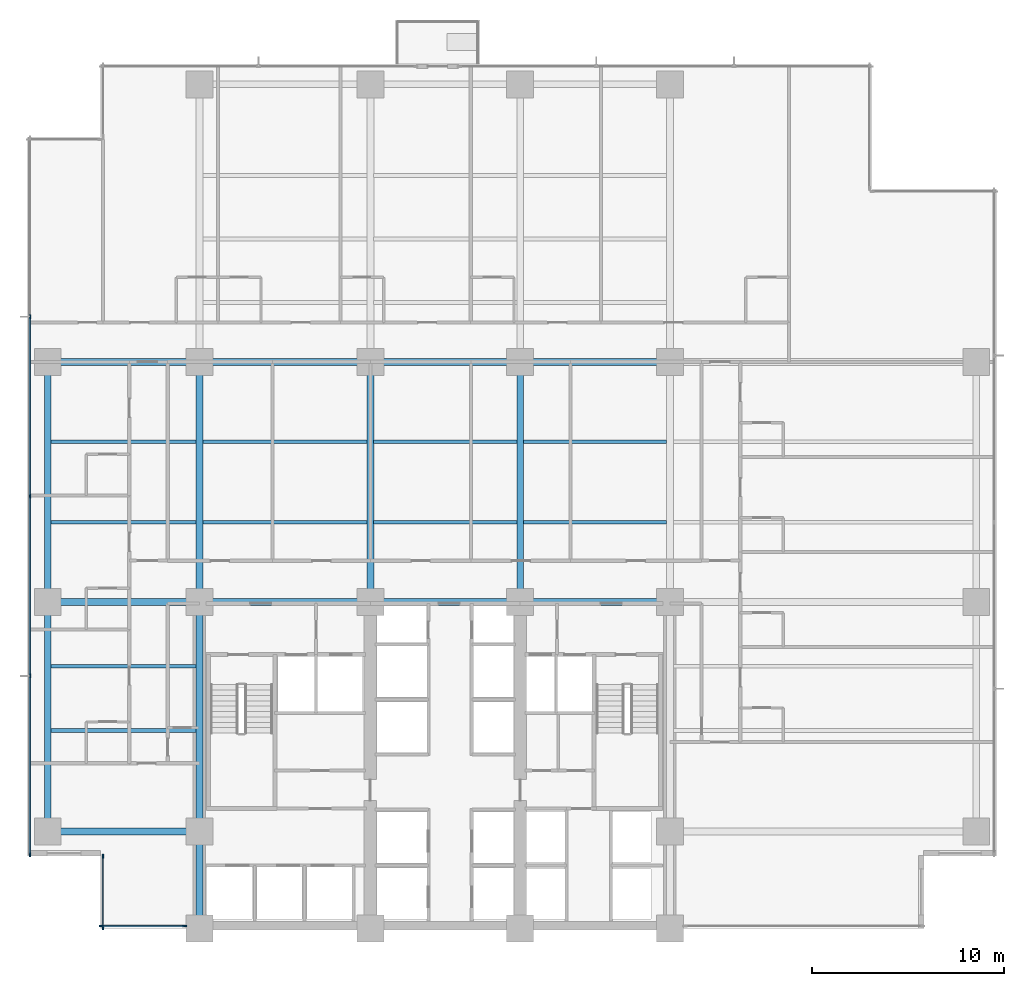
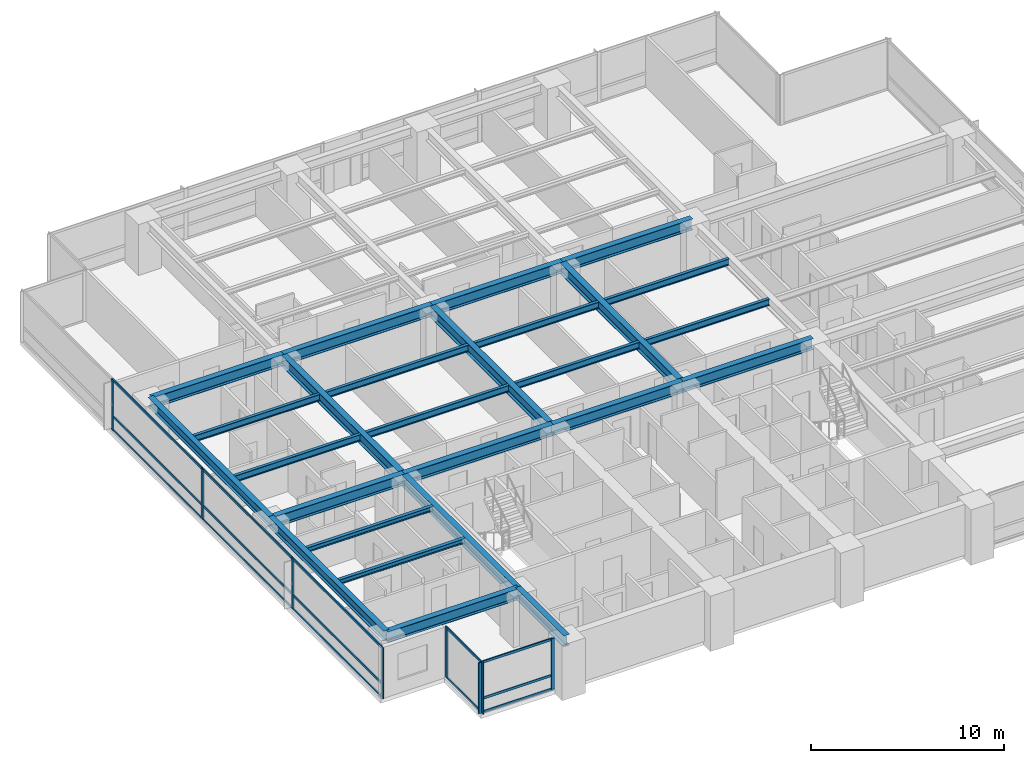
# One storey, part 2 of 16: 26 beams, 22 members, 3 elements without a shape of their own.
"""IFC4 building model written with IfcOpenShell, lengths in metres."""

from ifc_helpers import new_model, si_unit, direction, frame, origin, origin_2d, place, context, subcontext, project, spatial, rectangle, i_section, extrude, material, layer, layer_set, material_profile, profile_set, type_object, element, aggregate, save


model = new_model("IFC4")

# Units and contexts
model_context = context("Model", 3, precision=1e-05, world=origin(), true_north=direction((0.0, 1.0)))
body_context = subcontext(model_context, "Body", "Model", "MODEL_VIEW")
ifc_project = project(units=[si_unit("LENGTHUNIT", "METRE"), si_unit("AREAUNIT", "SQUARE_METRE"), si_unit("VOLUMEUNIT", "CUBIC_METRE"), si_unit("PLANEANGLEUNIT", "RADIAN"), si_unit("MASSUNIT", "GRAM", prefix="KILO")], contexts=[model_context])

# Site, building, storey
site_placement = place(None, origin())
site = spatial("IfcSite", under=ifc_project, at=site_placement, CompositionType="ELEMENT")
building_placement = place(site_placement, origin())
building = spatial("IfcBuilding", under=site, at=building_placement, Name="Qalmaran Belvedere Hotel", CompositionType="ELEMENT")
storey_placement = place(building_placement, frame((0.0, 0.0, 36.89990234375)))
storey = spatial("IfcBuildingStorey", under=building, at=storey_placement, Name="L08", CompositionType="ELEMENT", Elevation=36.89990234375)

# Beams
ifc_material_1 = material(Name="Steel S355JR", Category="steel")
ifc_material_profile_1 = material_profile(ifc_material_1, i_section(OverallWidth=0.202880859375, OverallDepth=0.302978515625, WebThickness=0.007568359375, FlangeThickness=0.01318359375, FilletRadius=0.012939453125, at=origin_2d()), Name="W310X60")
ifc_profile_set_1 = profile_set([ifc_material_profile_1], Name="Steel S355JR")
beam_type_1 = type_object("IfcBeamType", Name="BM-JST-W310X60", PredefinedType="JOIST", material=ifc_profile_set_1)
for number, where, z_axis, x_axis, name in (
    (1, (12.5615234375, 13.800048828125, 3.068603515625), (1.0, 0.0, 0.0), (0.0, 1.0, 0.0), "L08 West Wing Joist 038"),
    (2, (12.5615234375, 17.14990234375, 3.068603515625), (1.0, 0.0, 0.0), (0.0, 1.0, 0.0), "L08 West Wing Joist 040"),
):
    element("IfcBeam", number, at=place(storey_placement, frame(where, z_axis=z_axis, x_axis=x_axis)), inside=storey, type_object=beam_type_1, Name=name, PredefinedType="JOIST", context=body_context, shape_type="SweptSolid", body=[
        extrude(i_section(OverallWidth=0.202880859375, OverallDepth=0.302978515625, WebThickness=0.007568359375, FlangeThickness=0.01318359375, FilletRadius=0.012939453125, at=origin_2d()), origin(), (0.0, 0.0, 1.0), 7.56298828125),
    ])
ifc_material_profile_2 = material_profile(ifc_material_1, i_section(OverallWidth=0.180908203125, OverallDepth=0.4169921875, WebThickness=0.010986328125, FlangeThickness=0.018310546875, FilletRadius=0.014892578125, at=origin_2d()), Name="W410X85")
ifc_profile_set_2 = profile_set([ifc_material_profile_2], Name="Steel S355JR")
beam_type_2 = type_object("IfcBeamType", Name="BM-SB1-W410X85", PredefinedType="BEAM", material=ifc_profile_set_2)
beam_1_placement = place(storey_placement, frame((12.5615234375, 24.64990234375, 3.01171875), z_axis=(1.0, 0.0, 0.0), x_axis=(0.0, 1.0, 0.0)))
element("IfcBeam", 3, at=beam_1_placement, inside=storey, type_object=beam_type_2, Name="L08 West Secondary Beam 028", PredefinedType="BEAM", context=body_context, shape_type="SweptSolid", body=[
    extrude(i_section(OverallWidth=0.180908203125, OverallDepth=0.4169921875, WebThickness=0.010986328125, FlangeThickness=0.018310546875, FilletRadius=0.014892578125, at=origin_2d()), origin(), (0.0, 0.0, 1.0), 7.56298828125),
])
beam_2_placement = place(storey_placement, frame((20.4755859375, 24.64990234375, 3.01171875), z_axis=(1.0, 0.0, 0.0), x_axis=(0.0, 1.0, 0.0)))
element("IfcBeam", 4, at=beam_2_placement, inside=storey, type_object=beam_type_2, Name="L08 Secondary Floor Beam 029", PredefinedType="BEAM", context=body_context, shape_type="SweptSolid", body=[
    extrude(i_section(OverallWidth=0.180908203125, OverallDepth=0.4169921875, WebThickness=0.010986328125, FlangeThickness=0.018310546875, FilletRadius=0.014892578125, at=origin_2d()), origin(), (0.0, 0.0, 1.0), 8.548828125),
])
for number, where, z_axis, x_axis, name in (
    (5, (29.37548828125, 24.64990234375, 3.01171875), (1.0, 0.0, 0.0), (0.0, 1.0, 0.0), "L08 Secondary Floor Beam 030"),
    (6, (37.175537109375, 24.64990234375, 3.01171875), (1.0, 0.0, 0.0), (0.0, 1.0, 0.0), "L08 Secondary Floor Beam 031"),
):
    element("IfcBeam", number, at=place(storey_placement, frame(where, z_axis=z_axis, x_axis=x_axis)), inside=storey, type_object=beam_type_2, Name=name, PredefinedType="BEAM", context=body_context, shape_type="SweptSolid", body=[
        extrude(i_section(OverallWidth=0.180908203125, OverallDepth=0.4169921875, WebThickness=0.010986328125, FlangeThickness=0.018310546875, FilletRadius=0.014892578125, at=origin_2d()), origin(), (0.0, 0.0, 1.0), 7.448974609375),
    ])
beam_3_placement = place(storey_placement, frame((12.5615234375, 28.85009765625, 3.01171875), z_axis=(1.0, 0.0, 0.0), x_axis=(0.0, 1.0, 0.0)))
element("IfcBeam", 7, at=beam_3_placement, inside=storey, type_object=beam_type_2, Name="L08 West Secondary Beam 033", PredefinedType="BEAM", context=body_context, shape_type="SweptSolid", body=[
    extrude(i_section(OverallWidth=0.180908203125, OverallDepth=0.4169921875, WebThickness=0.010986328125, FlangeThickness=0.018310546875, FilletRadius=0.014892578125, at=origin_2d()), origin(), (0.0, 0.0, 1.0), 7.56298828125),
])
beam_4_placement = place(storey_placement, frame((20.4755859375, 28.85009765625, 3.01171875), z_axis=(1.0, 0.0, 0.0), x_axis=(0.0, 1.0, 0.0)))
element("IfcBeam", 8, at=beam_4_placement, inside=storey, type_object=beam_type_2, Name="L08 Secondary Floor Beam 034", PredefinedType="BEAM", context=body_context, shape_type="SweptSolid", body=[
    extrude(i_section(OverallWidth=0.180908203125, OverallDepth=0.4169921875, WebThickness=0.010986328125, FlangeThickness=0.018310546875, FilletRadius=0.014892578125, at=origin_2d()), origin(), (0.0, 0.0, 1.0), 8.548828125),
])
for number, where, z_axis, x_axis, name in (
    (9, (29.37548828125, 28.85009765625, 3.01171875), (1.0, 0.0, 0.0), (0.0, 1.0, 0.0), "L08 Secondary Floor Beam 035"),
    (10, (37.175537109375, 28.85009765625, 3.01171875), (1.0, 0.0, 0.0), (0.0, 1.0, 0.0), "L08 Secondary Floor Beam 036"),
):
    element("IfcBeam", number, at=place(storey_placement, frame(where, z_axis=z_axis, x_axis=x_axis)), inside=storey, type_object=beam_type_2, Name=name, PredefinedType="BEAM", context=body_context, shape_type="SweptSolid", body=[
        extrude(i_section(OverallWidth=0.180908203125, OverallDepth=0.4169921875, WebThickness=0.010986328125, FlangeThickness=0.018310546875, FilletRadius=0.014892578125, at=origin_2d()), origin(), (0.0, 0.0, 1.0), 7.448974609375),
    ])
ifc_material_profile_3 = material_profile(ifc_material_1, i_section(OverallWidth=0.326904296875, OverallDepth=0.6220703125, WebThickness=0.015380859375, FlangeThickness=0.0244140625, FilletRadius=0.02001953125, at=origin_2d()), Name="W610X195")
ifc_profile_set_3 = profile_set([ifc_material_profile_3], Name="Steel S355JR")
beam_type_3 = type_object("IfcBeamType", Name="BM-SP1-W610X195", PredefinedType="SPANDREL", material=ifc_profile_set_3)
beam_5_placement = place(storey_placement, frame((12.39990234375, 8.550048828125, 2.9091796875), z_axis=(0.0, 1.0, 0.0), x_axis=(-1.0, 0.0, 0.0)))
element("IfcBeam", 11, at=beam_5_placement, inside=storey, type_object=beam_type_3, Name="L08 Perimeter Spandrel 01", PredefinedType="SPANDREL", context=body_context, shape_type="SweptSolid", body=[
    extrude(i_section(OverallWidth=0.326904296875, OverallDepth=0.6220703125, WebThickness=0.015380859375, FlangeThickness=0.0244140625, FilletRadius=0.02001953125, at=origin_2d()), origin(), (0.0, 0.0, 1.0), 11.949951171875),
])
beam_6_placement = place(storey_placement, frame((12.39990234375, 20.5, 2.9091796875), z_axis=(0.0, 1.0, 0.0), x_axis=(-1.0, 0.0, 0.0)))
element("IfcBeam", 12, at=beam_6_placement, inside=storey, type_object=beam_type_3, Name="L08 Perimeter Spandrel 02", PredefinedType="SPANDREL", context=body_context, shape_type="SweptSolid", body=[
    extrude(i_section(OverallWidth=0.326904296875, OverallDepth=0.6220703125, WebThickness=0.015380859375, FlangeThickness=0.0244140625, FilletRadius=0.02001953125, at=origin_2d()), origin(), (0.0, 0.0, 1.0), 12.5),
])
ifc_material_profile_4 = material_profile(ifc_material_1, i_section(OverallWidth=0.35498046875, OverallDepth=0.695068359375, WebThickness=0.015380859375, FlangeThickness=0.02490234375, FilletRadius=0.02197265625, at=origin_2d()), Name="W690X217")
ifc_profile_set_4 = profile_set([ifc_material_profile_4], Name="Steel S355JR")
beam_type_4 = type_object("IfcBeamType", Name="BM-Z1-W690X217", PredefinedType="USERDEFINED", material=ifc_profile_set_4)
beam_7_placement = place(storey_placement, frame((20.300048828125, 20.5, 2.87255859375), z_axis=(1.0, 0.0, 0.0), x_axis=(0.0, 1.0, 0.0)))
element("IfcBeam", 13, at=beam_7_placement, inside=storey, type_object=beam_type_4, Name="L08 Interior E-W Girder 08", ObjectType="GIRDER", PredefinedType="USERDEFINED", context=body_context, shape_type="SweptSolid", body=[
    extrude(i_section(OverallWidth=0.35498046875, OverallDepth=0.695068359375, WebThickness=0.015380859375, FlangeThickness=0.02490234375, FilletRadius=0.02197265625, at=origin_2d()), origin(), (0.0, 0.0, 1.0), 8.89990234375),
])
for number, where, z_axis, x_axis, name in (
    (14, (29.199951171875, 20.5, 2.87255859375), (1.0, 0.0, 0.0), (0.0, 1.0, 0.0), "L08 Interior E-W Girder 09"),
    (15, (37.0, 20.5, 2.87255859375), (1.0, 0.0, 0.0), (0.0, 1.0, 0.0), "L08 Interior E-W Girder 10"),
):
    element("IfcBeam", number, at=place(storey_placement, frame(where, z_axis=z_axis, x_axis=x_axis)), inside=storey, type_object=beam_type_4, Name=name, ObjectType="GIRDER", PredefinedType="USERDEFINED", context=body_context, shape_type="SweptSolid", body=[
        extrude(i_section(OverallWidth=0.35498046875, OverallDepth=0.695068359375, WebThickness=0.015380859375, FlangeThickness=0.02490234375, FilletRadius=0.02197265625, at=origin_2d()), origin(), (0.0, 0.0, 1.0), 7.800048828125),
    ])
beam_8_placement = place(storey_placement, frame((20.300048828125, 33.0, 2.87255859375), z_axis=(1.0, 0.0, 0.0), x_axis=(0.0, 1.0, 0.0)))
element("IfcBeam", 16, at=beam_8_placement, inside=storey, type_object=beam_type_4, Name="L08 Interior E-W Girder 11", ObjectType="GIRDER", PredefinedType="USERDEFINED", context=body_context, shape_type="SweptSolid", body=[
    extrude(i_section(OverallWidth=0.35498046875, OverallDepth=0.695068359375, WebThickness=0.015380859375, FlangeThickness=0.02490234375, FilletRadius=0.02197265625, at=origin_2d()), origin(), (0.0, 0.0, 1.0), 8.89990234375),
])
for number, where, z_axis, x_axis, name in (
    (17, (29.199951171875, 33.0, 2.87255859375), (1.0, 0.0, 0.0), (0.0, 1.0, 0.0), "L08 Interior E-W Girder 12"),
    (18, (37.0, 33.0, 2.87255859375), (1.0, 0.0, 0.0), (0.0, 1.0, 0.0), "L08 Interior E-W Girder 13"),
):
    element("IfcBeam", number, at=place(storey_placement, frame(where, z_axis=z_axis, x_axis=x_axis)), inside=storey, type_object=beam_type_4, Name=name, ObjectType="GIRDER", PredefinedType="USERDEFINED", context=body_context, shape_type="SweptSolid", body=[
        extrude(i_section(OverallWidth=0.35498046875, OverallDepth=0.695068359375, WebThickness=0.015380859375, FlangeThickness=0.02490234375, FilletRadius=0.02197265625, at=origin_2d()), origin(), (0.0, 0.0, 1.0), 7.800048828125),
    ])
for number, where, z_axis, x_axis, name in (
    (19, (20.300048828125, 20.5, 2.87255859375), (0.0, 1.0, 0.0), (-1.0, 0.0, 0.0), "L08 Mid-Plate N-S Girder 14"),
    (20, (29.199951171875, 20.5, 2.87255859375), (0.0, 1.0, 0.0), (-1.0, 0.0, 0.0), "L08 Mid-Plate N-S Girder 16"),
    (21, (37.0, 20.5, 2.87255859375), (0.0, 1.0, 0.0), (-1.0, 0.0, 0.0), "L08 Mid-Plate N-S Girder 18"),
):
    element("IfcBeam", number, at=place(storey_placement, frame(where, z_axis=z_axis, x_axis=x_axis)), inside=storey, type_object=beam_type_4, Name=name, ObjectType="GIRDER", PredefinedType="USERDEFINED", context=body_context, shape_type="SweptSolid", body=[
        extrude(i_section(OverallWidth=0.35498046875, OverallDepth=0.695068359375, WebThickness=0.015380859375, FlangeThickness=0.02490234375, FilletRadius=0.02197265625, at=origin_2d()), origin(), (0.0, 0.0, 1.0), 12.5),
    ])
for number, where, z_axis, x_axis, name in (
    (22, (12.39990234375, 8.550048828125, 2.87255859375), (1.0, 0.0, 0.0), (0.0, 1.0, 0.0), "L08 West Wing Girder 22"),
    (23, (12.39990234375, 20.5, 2.87255859375), (1.0, 0.0, 0.0), (0.0, 1.0, 0.0), "L08 West Wing Girder 23"),
    (24, (12.39990234375, 33.0, 2.87255859375), (1.0, 0.0, 0.0), (0.0, 1.0, 0.0), "L08 West Wing Girder 24"),
):
    element("IfcBeam", number, at=place(storey_placement, frame(where, z_axis=z_axis, x_axis=x_axis)), inside=storey, type_object=beam_type_4, Name=name, ObjectType="GIRDER", PredefinedType="USERDEFINED", context=body_context, shape_type="SweptSolid", body=[
        extrude(i_section(OverallWidth=0.35498046875, OverallDepth=0.695068359375, WebThickness=0.015380859375, FlangeThickness=0.02490234375, FilletRadius=0.02197265625, at=origin_2d()), origin(), (0.0, 0.0, 1.0), 7.900146484375),
    ])
beam_9_placement = place(storey_placement, frame((20.300048828125, 3.5, 2.87255859375), z_axis=(0.0, 1.0, 0.0), x_axis=(-1.0, 0.0, 0.0)))
element("IfcBeam", 25, at=beam_9_placement, inside=storey, type_object=beam_type_4, Name="L08 West Core Edge Girder A", ObjectType="GIRDER", PredefinedType="USERDEFINED", context=body_context, shape_type="SweptSolid", body=[
    extrude(i_section(OverallWidth=0.35498046875, OverallDepth=0.695068359375, WebThickness=0.015380859375, FlangeThickness=0.02490234375, FilletRadius=0.02197265625, at=origin_2d()), origin(), (0.0, 0.0, 1.0), 5.050048828125),
])
beam_10_placement = place(storey_placement, frame((20.300048828125, 8.550048828125, 2.87255859375), z_axis=(0.0, 1.0, 0.0), x_axis=(-1.0, 0.0, 0.0)))
element("IfcBeam", 26, at=beam_10_placement, inside=storey, type_object=beam_type_4, Name="L08 West Core Edge Girder B", ObjectType="GIRDER", PredefinedType="USERDEFINED", context=body_context, shape_type="SweptSolid", body=[
    extrude(i_section(OverallWidth=0.35498046875, OverallDepth=0.695068359375, WebThickness=0.015380859375, FlangeThickness=0.02490234375, FilletRadius=0.02197265625, at=origin_2d()), origin(), (0.0, 0.0, 1.0), 11.949951171875),
])

# Curtain wall, members
ifc_material_2 = material(Name="Anodised Bronze Aluminium", Category="aluminium")
ifc_layer = layer(ifc_material_2, 0.2099609375, Name="Anodised Bronze Aluminium")
ifc_layer_set = layer_set([ifc_layer], Name="Anodised Bronze Aluminium")
curtain_wall_type = type_object("IfcCurtainWallType", Name="CW2-TOWER-LOWER", PredefinedType="NOTDEFINED", material=ifc_layer_set)
curtain_wall_1_placement = place(storey_placement, origin())
curtain_wall_1 = element("IfcCurtainWall", 27, at=curtain_wall_1_placement, inside=storey, type_object=curtain_wall_type, Name="L08 Curtain Wall CW2", PredefinedType="NOTDEFINED")
ifc_material_profile_5 = material_profile(ifc_material_2, rectangle(XDim=0.074951171875, YDim=0.219970703125, at=origin_2d()), Name="CWM75X220")
ifc_profile_set_5 = profile_set([ifc_material_profile_5], Name="Anodised Bronze Aluminium")
member_type_1 = type_object("IfcMemberType", Name="CWM-75X220", PredefinedType="MULLION", material=ifc_profile_set_5)
member_1_placement = place(storey_placement, frame((15.1875, 3.6201171875, 0.0), z_axis=(0.0, 0.0, 1.0), x_axis=(0.0, 1.0, 0.0)))
member_1 = element("IfcMember", 28, at=member_1_placement, type_object=member_type_1, Name="CW2 mullion 1", PredefinedType="MULLION", context=body_context, shape_type="SweptSolid", body=[
    extrude(rectangle(XDim=0.074951171875, YDim=0.219970703125, at=origin_2d()), origin(), (0.0, 0.0, 1.0), 3.22021484375),
])
member_2_placement = place(storey_placement, frame((19.5224609375, 3.6201171875, 0.0), z_axis=(0.0, 0.0, 1.0), x_axis=(0.0, 1.0, 0.0)))
member_2 = element("IfcMember", 29, at=member_2_placement, type_object=member_type_1, Name="CW2 mullion 2", PredefinedType="MULLION", context=body_context, shape_type="SweptSolid", body=[
    extrude(rectangle(XDim=0.074951171875, YDim=0.219970703125, at=origin_2d()), origin(), (0.0, 0.0, 1.0), 3.22021484375),
])

curtain_wall_2_placement = place(storey_placement, origin())
curtain_wall_2 = element("IfcCurtainWall", 30, at=curtain_wall_2_placement, inside=storey, type_object=curtain_wall_type, Name="L08 Curtain Wall CW2", PredefinedType="NOTDEFINED")
member_3_placement = place(storey_placement, frame((11.469970703125, 35.35009765625, 0.0), z_axis=(0.0, 0.0, 1.0), x_axis=(1.0, 0.0, 0.0)))
member_3 = element("IfcMember", 31, at=member_3_placement, type_object=member_type_1, Name="CW2 mullion 2", PredefinedType="MULLION", context=body_context, shape_type="SweptSolid", body=[
    extrude(rectangle(XDim=0.074951171875, YDim=0.219970703125, at=origin_2d()), origin(), (0.0, 0.0, 1.0), 3.22021484375),
])
member_4_placement = place(storey_placement, frame((11.469970703125, 26.0, 0.0), z_axis=(0.0, 0.0, 1.0), x_axis=(1.0, 0.0, 0.0)))
member_4 = element("IfcMember", 32, at=member_4_placement, type_object=member_type_1, Name="CW2 mullion 3", PredefinedType="MULLION", context=body_context, shape_type="SweptSolid", body=[
    extrude(rectangle(XDim=0.074951171875, YDim=0.219970703125, at=origin_2d()), origin(), (0.0, 0.0, 1.0), 3.22021484375),
])
member_5_placement = place(storey_placement, frame((11.469970703125, 16.64990234375, 0.0), z_axis=(0.0, 0.0, 1.0), x_axis=(1.0, 0.0, 0.0)))
member_5 = element("IfcMember", 33, at=member_5_placement, type_object=member_type_1, Name="CW2 mullion 4", PredefinedType="MULLION", context=body_context, shape_type="SweptSolid", body=[
    extrude(rectangle(XDim=0.074951171875, YDim=0.219970703125, at=origin_2d()), origin(), (0.0, 0.0, 1.0), 3.22021484375),
])
member_6_placement = place(storey_placement, frame((11.469970703125, 7.33740234375, 0.0), z_axis=(0.0, 0.0, 1.0), x_axis=(1.0, 0.0, 0.0)))
member_6 = element("IfcMember", 34, at=member_6_placement, type_object=member_type_1, Name="CW2 mullion 5", PredefinedType="MULLION", context=body_context, shape_type="SweptSolid", body=[
    extrude(rectangle(XDim=0.074951171875, YDim=0.219970703125, at=origin_2d()), origin(), (0.0, 0.0, 1.0), 3.22021484375),
])

curtain_wall_3_placement = place(storey_placement, origin())
curtain_wall_3 = element("IfcCurtainWall", 35, at=curtain_wall_3_placement, inside=storey, type_object=curtain_wall_type, Name="L08 Curtain Wall CW2", PredefinedType="NOTDEFINED")
member_7_placement = place(storey_placement, frame((15.27001953125, 7.262451171875, 0.0), z_axis=(0.0, 0.0, 1.0), x_axis=(1.0, 0.0, 0.0)))
member_7 = element("IfcMember", 36, at=member_7_placement, type_object=member_type_1, Name="CW2 mullion 1", PredefinedType="MULLION", context=body_context, shape_type="SweptSolid", body=[
    extrude(rectangle(XDim=0.074951171875, YDim=0.219970703125, at=origin_2d()), origin(), (0.0, 0.0, 1.0), 3.22021484375),
])
member_8_placement = place(storey_placement, frame((15.27001953125, 3.53759765625, 0.0), z_axis=(0.0, 0.0, 1.0), x_axis=(1.0, 0.0, 0.0)))
member_8 = element("IfcMember", 37, at=member_8_placement, type_object=member_type_1, Name="CW2 mullion 2", PredefinedType="MULLION", context=body_context, shape_type="SweptSolid", body=[
    extrude(rectangle(XDim=0.074951171875, YDim=0.219970703125, at=origin_2d()), origin(), (0.0, 0.0, 1.0), 3.22021484375),
])

# Member
ifc_material_profile_6 = material_profile(ifc_material_2, rectangle(XDim=0.070068359375, YDim=0.14990234375, at=origin_2d()), Name="CWT70X150")
ifc_profile_set_6 = profile_set([ifc_material_profile_6], Name="Anodised Bronze Aluminium")
member_type_2 = type_object("IfcMemberType", Name="CWT-70X150", PredefinedType="USERDEFINED", material=ifc_profile_set_6)
member_9_placement = place(storey_placement, frame((15.22509765625, 3.6201171875, 0.03515625), z_axis=(1.0, 0.0, 0.0), x_axis=(0.0, 1.0, 0.0)))
member_9 = element("IfcMember", 38, at=member_9_placement, type_object=member_type_2, Name="CW2 transom 1.1", ObjectType="TRANSOM", PredefinedType="USERDEFINED", context=body_context, shape_type="SweptSolid", body=[
    extrude(rectangle(XDim=0.070068359375, YDim=0.14990234375, at=origin_2d()), origin(), (0.0, 0.0, 1.0), 4.260009765625),
])

member_10_placement = place(storey_placement, frame((15.22509765625, 3.6201171875, 0.901611328125), z_axis=(1.0, 0.0, 0.0), x_axis=(0.0, 1.0, 0.0)))
member_10 = element("IfcMember", 39, at=member_10_placement, type_object=member_type_2, Name="CW2 transom 1.2", ObjectType="TRANSOM", PredefinedType="USERDEFINED", context=body_context, shape_type="SweptSolid", body=[
    extrude(rectangle(XDim=0.070068359375, YDim=0.14990234375, at=origin_2d()), origin(), (0.0, 0.0, 1.0), 4.260009765625),
])

member_11_placement = place(storey_placement, frame((15.22509765625, 3.6201171875, 3.18505859375), z_axis=(1.0, 0.0, 0.0), x_axis=(0.0, 1.0, 0.0)))
member_11 = element("IfcMember", 40, at=member_11_placement, type_object=member_type_2, Name="CW2 transom 1.3", ObjectType="TRANSOM", PredefinedType="USERDEFINED", context=body_context, shape_type="SweptSolid", body=[
    extrude(rectangle(XDim=0.070068359375, YDim=0.14990234375, at=origin_2d()), origin(), (0.0, 0.0, 1.0), 4.260009765625),
])

aggregate(curtain_wall_1, [member_1, member_2, member_9, member_10, member_11])

member_12_placement = place(storey_placement, frame((11.469970703125, 35.3125, 0.03515625), z_axis=(0.0, -1.0, 0.0), x_axis=(1.0, 0.0, 0.0)))
member_12 = element("IfcMember", 41, at=member_12_placement, type_object=member_type_2, Name="CW2 transom 2.1", ObjectType="TRANSOM", PredefinedType="USERDEFINED", context=body_context, shape_type="SweptSolid", body=[
    extrude(rectangle(XDim=0.070068359375, YDim=0.14990234375, at=origin_2d()), origin(), (0.0, 0.0, 1.0), 9.27490234375),
])

member_13_placement = place(storey_placement, frame((11.469970703125, 35.3125, 0.901611328125), z_axis=(0.0, -1.0, 0.0), x_axis=(1.0, 0.0, 0.0)))
member_13 = element("IfcMember", 42, at=member_13_placement, type_object=member_type_2, Name="CW2 transom 2.2", ObjectType="TRANSOM", PredefinedType="USERDEFINED", context=body_context, shape_type="SweptSolid", body=[
    extrude(rectangle(XDim=0.070068359375, YDim=0.14990234375, at=origin_2d()), origin(), (0.0, 0.0, 1.0), 9.27490234375),
])

member_14_placement = place(storey_placement, frame((11.469970703125, 35.3125, 3.18505859375), z_axis=(0.0, -1.0, 0.0), x_axis=(1.0, 0.0, 0.0)))
member_14 = element("IfcMember", 43, at=member_14_placement, type_object=member_type_2, Name="CW2 transom 2.3", ObjectType="TRANSOM", PredefinedType="USERDEFINED", context=body_context, shape_type="SweptSolid", body=[
    extrude(rectangle(XDim=0.070068359375, YDim=0.14990234375, at=origin_2d()), origin(), (0.0, 0.0, 1.0), 9.27490234375),
])

member_15_placement = place(storey_placement, frame((11.469970703125, 25.96240234375, 0.03515625), z_axis=(0.0, -1.0, 0.0), x_axis=(1.0, 0.0, 0.0)))
member_15 = element("IfcMember", 44, at=member_15_placement, type_object=member_type_2, Name="CW2 transom 3.1", ObjectType="TRANSOM", PredefinedType="USERDEFINED", context=body_context, shape_type="SweptSolid", body=[
    extrude(rectangle(XDim=0.070068359375, YDim=0.14990234375, at=origin_2d()), origin(), (0.0, 0.0, 1.0), 9.27490234375),
])

member_16_placement = place(storey_placement, frame((11.469970703125, 25.96240234375, 0.901611328125), z_axis=(0.0, -1.0, 0.0), x_axis=(1.0, 0.0, 0.0)))
member_16 = element("IfcMember", 45, at=member_16_placement, type_object=member_type_2, Name="CW2 transom 3.2", ObjectType="TRANSOM", PredefinedType="USERDEFINED", context=body_context, shape_type="SweptSolid", body=[
    extrude(rectangle(XDim=0.070068359375, YDim=0.14990234375, at=origin_2d()), origin(), (0.0, 0.0, 1.0), 9.27490234375),
])

member_17_placement = place(storey_placement, frame((11.469970703125, 25.96240234375, 3.18505859375), z_axis=(0.0, -1.0, 0.0), x_axis=(1.0, 0.0, 0.0)))
member_17 = element("IfcMember", 46, at=member_17_placement, type_object=member_type_2, Name="CW2 transom 3.3", ObjectType="TRANSOM", PredefinedType="USERDEFINED", context=body_context, shape_type="SweptSolid", body=[
    extrude(rectangle(XDim=0.070068359375, YDim=0.14990234375, at=origin_2d()), origin(), (0.0, 0.0, 1.0), 9.27490234375),
])

member_18_placement = place(storey_placement, frame((11.469970703125, 16.612548828125, 0.03515625), z_axis=(0.0, -1.0, 0.0), x_axis=(1.0, 0.0, 0.0)))
member_18 = element("IfcMember", 47, at=member_18_placement, type_object=member_type_2, Name="CW2 transom 4.1", ObjectType="TRANSOM", PredefinedType="USERDEFINED", context=body_context, shape_type="SweptSolid", body=[
    extrude(rectangle(XDim=0.070068359375, YDim=0.14990234375, at=origin_2d()), origin(), (0.0, 0.0, 1.0), 9.237548828125),
])

member_19_placement = place(storey_placement, frame((11.469970703125, 16.612548828125, 0.901611328125), z_axis=(0.0, -1.0, 0.0), x_axis=(1.0, 0.0, 0.0)))
member_19 = element("IfcMember", 48, at=member_19_placement, type_object=member_type_2, Name="CW2 transom 4.2", ObjectType="TRANSOM", PredefinedType="USERDEFINED", context=body_context, shape_type="SweptSolid", body=[
    extrude(rectangle(XDim=0.070068359375, YDim=0.14990234375, at=origin_2d()), origin(), (0.0, 0.0, 1.0), 9.237548828125),
])

member_20_placement = place(storey_placement, frame((11.469970703125, 16.612548828125, 3.18505859375), z_axis=(0.0, -1.0, 0.0), x_axis=(1.0, 0.0, 0.0)))
member_20 = element("IfcMember", 49, at=member_20_placement, type_object=member_type_2, Name="CW2 transom 4.3", ObjectType="TRANSOM", PredefinedType="USERDEFINED", context=body_context, shape_type="SweptSolid", body=[
    extrude(rectangle(XDim=0.070068359375, YDim=0.14990234375, at=origin_2d()), origin(), (0.0, 0.0, 1.0), 9.237548828125),
])

aggregate(curtain_wall_2, [member_3, member_4, member_5, member_6, member_12, member_13, member_14, member_15, member_16, member_17, member_18, member_19, member_20])

member_21_placement = place(storey_placement, frame((15.27001953125, 7.22509765625, 0.03515625), z_axis=(0.0, -1.0, 0.0), x_axis=(1.0, 0.0, 0.0)))
member_21 = element("IfcMember", 50, at=member_21_placement, type_object=member_type_2, Name="CW2 transom 1.1", ObjectType="TRANSOM", PredefinedType="USERDEFINED", context=body_context, shape_type="SweptSolid", body=[
    extrude(rectangle(XDim=0.070068359375, YDim=0.14990234375, at=origin_2d()), origin(), (0.0, 0.0, 1.0), 3.650146484375),
])

member_22_placement = place(storey_placement, frame((15.27001953125, 7.22509765625, 3.18505859375), z_axis=(0.0, -1.0, 0.0), x_axis=(1.0, 0.0, 0.0)))
member_22 = element("IfcMember", 51, at=member_22_placement, type_object=member_type_2, Name="CW2 transom 1.2", ObjectType="TRANSOM", PredefinedType="USERDEFINED", context=body_context, shape_type="SweptSolid", body=[
    extrude(rectangle(XDim=0.070068359375, YDim=0.14990234375, at=origin_2d()), origin(), (0.0, 0.0, 1.0), 3.650146484375),
])

aggregate(curtain_wall_3, [member_7, member_8, member_21, member_22])

save(model, "model.ifc")
